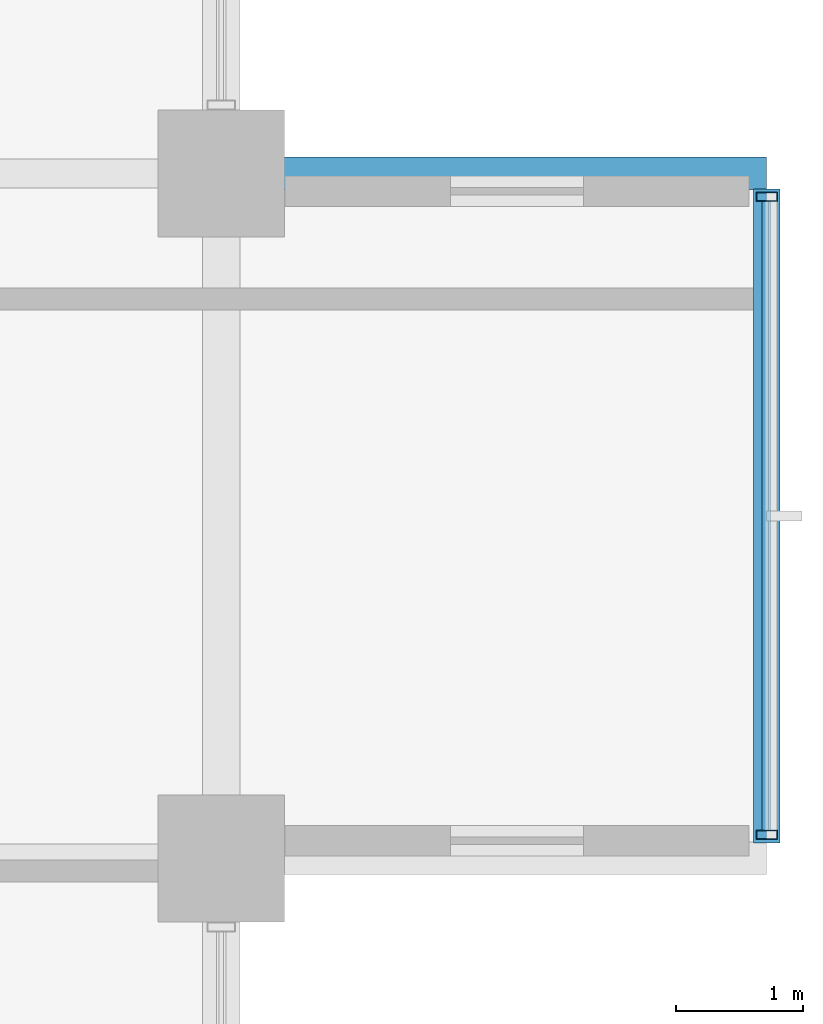
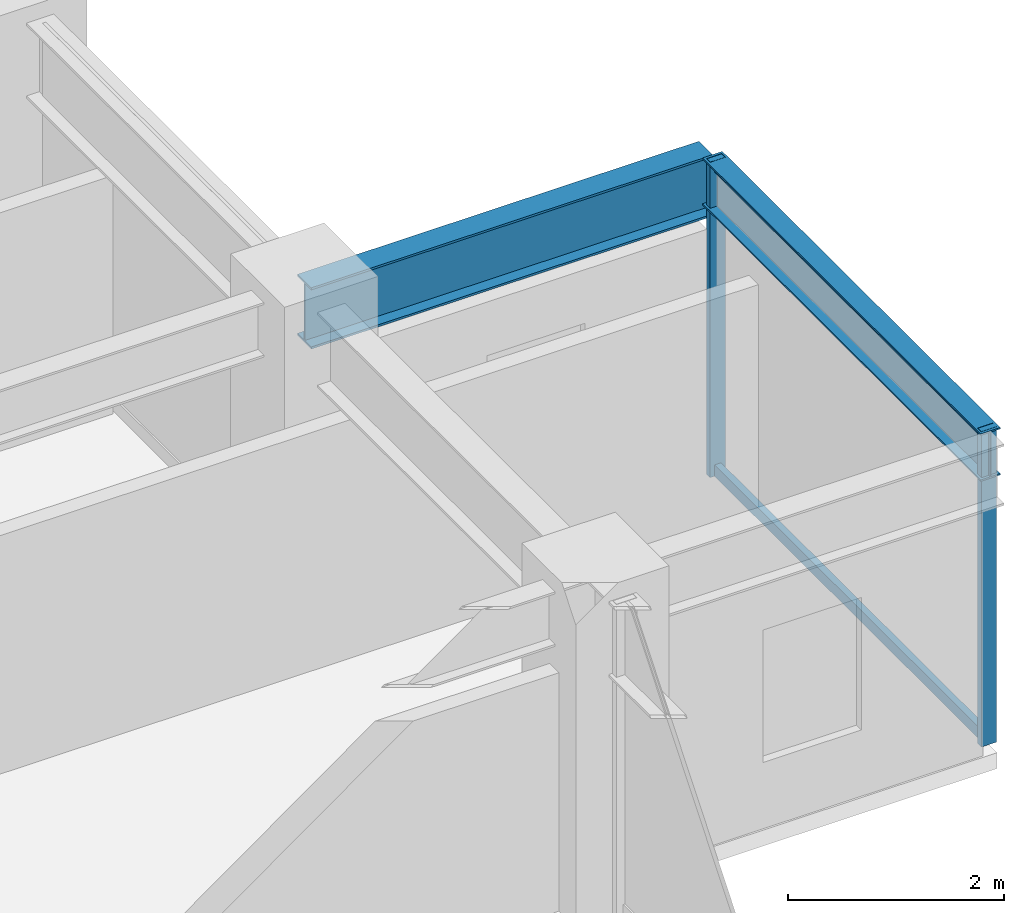
# One storey, part 10 of 26: 4 members, 2 beams, 1 element without a shape of its own.
"""IFC4 building model written with IfcOpenShell, lengths in metres."""

from ifc_helpers import new_model, si_unit, direction, frame, origin, origin_2d, place, context, subcontext, project, spatial, hollow_rectangle, i_section, extrude, material, layer, layer_set, material_profile, profile_set, type_object, element, aggregate, save


model = new_model("IFC4")

# Units and contexts
model_context = context("Model", 3, precision=1e-05, world=origin(), true_north=direction((0.0, 1.0)))
body_context = subcontext(model_context, "Body", "Model", "MODEL_VIEW")
ifc_project = project(units=[si_unit("LENGTHUNIT", "METRE"), si_unit("AREAUNIT", "SQUARE_METRE"), si_unit("VOLUMEUNIT", "CUBIC_METRE"), si_unit("PLANEANGLEUNIT", "RADIAN"), si_unit("MASSUNIT", "GRAM", prefix="KILO")], contexts=[model_context])

# Site, building, storey
site_placement = place(None, origin())
site = spatial("IfcSite", under=ifc_project, at=site_placement, CompositionType="ELEMENT")
building_placement = place(site_placement, origin())
building = spatial("IfcBuilding", under=site, at=building_placement, Name="Surkhivell Harbour Commons", CompositionType="ELEMENT")
storey_placement = place(building_placement, frame((0.0, 0.0, 147.0)))
storey = spatial("IfcBuildingStorey", under=building, at=storey_placement, Name="L38", CompositionType="ELEMENT", Elevation=147.0)

# Beams
ifc_material_1 = material(Name="Steel S460", Category="steel")
ifc_material_profile_1 = material_profile(ifc_material_1, i_section(OverallWidth=0.256103515625, OverallDepth=0.693115234375, WebThickness=0.014404296875, FlangeThickness=0.023681640625, at=origin_2d()), Name="UB686x254x170")
ifc_profile_set_1 = profile_set([ifc_material_profile_1], Name="Steel S460")
beam_type_1 = type_object("IfcBeamType", Name="BM-CNT-686", PredefinedType="BEAM", material=ifc_profile_set_1)
beam_1_placement = place(storey_placement, frame((21.60009765625, 5.39990234375, 3.223388671875), z_axis=(1.0, 0.0, 0.0), x_axis=(0.0, 1.0, 0.0)))
element("IfcBeam", 1, at=beam_1_placement, inside=storey, type_object=beam_type_1, Name="L38 Box Cantilever Outrigger (21.6,5.4)", PredefinedType="BEAM", context=body_context, shape_type="SweptSolid", body=[
    extrude(i_section(OverallWidth=0.256103515625, OverallDepth=0.693115234375, WebThickness=0.014404296875, FlangeThickness=0.023681640625, at=origin_2d()), origin(), (0.0, 0.0, 1.0), 4.2998046875),
])
ifc_material_2 = material(Name="Steel S355", Category="steel")
ifc_material_profile_2 = material_profile(ifc_material_2, i_section(OverallWidth=0.2099609375, OverallDepth=0.537109375, WebThickness=0.0107421875, FlangeThickness=0.017333984375, at=origin_2d()), Name="UB533x210x101")
ifc_profile_set_2 = profile_set([ifc_material_profile_2], Name="Steel S355")
beam_type_2 = type_object("IfcBeamType", Name="BM-GRD-533B", PredefinedType="BEAM", material=ifc_profile_set_2)
beam_2_placement = place(storey_placement, frame((25.89990234375, 0.1220703125, 3.301513671875), z_axis=(0.0, 1.0, 0.0), x_axis=(-1.0, 0.0, 0.0)))
element("IfcBeam", 2, at=beam_2_placement, inside=storey, type_object=beam_type_2, Name="L38 Box Rim Spandrel (25.9,0.0)", PredefinedType="BEAM", context=body_context, shape_type="SweptSolid", body=[
    extrude(i_section(OverallWidth=0.2099609375, OverallDepth=0.537109375, WebThickness=0.0107421875, FlangeThickness=0.017333984375, at=origin_2d()), origin(), (0.0, 0.0, 1.0), 5.156005859375),
])

# Curtain wall, members
ifc_material_3 = material(Name="Anodised pale-metal aluminium and insulated glazing", Category="aluminium")
ifc_layer = layer(ifc_material_3, 0.1650390625)
ifc_layer_set = layer_set([ifc_layer], Name="Anodised pale-metal aluminium and insulated glazing")
curtain_wall_type = type_object("IfcCurtainWallType", Name="CW-SYS-BOX", PredefinedType="NOTDEFINED", material=ifc_layer_set)
curtain_wall_placement = place(storey_placement, origin())
curtain_wall = element("IfcCurtainWall", 3, at=curtain_wall_placement, inside=storey, type_object=curtain_wall_type, Name="L38 Curtain Wall CW-L38-BOX01", PredefinedType="NOTDEFINED")
ifc_material_4 = material(Name="Champagne anodised aluminium alloy 6063-T6", Category="aluminium")
ifc_material_profile_3 = material_profile(ifc_material_4, hollow_rectangle(XDim=0.070068359375, YDim=0.1650390625, WallThickness=0.00341796875, at=origin_2d()), Name="ALU-MULL-70x165")
ifc_profile_set_3 = profile_set([ifc_material_profile_3], Name="Champagne anodised aluminium alloy 6063-T6")
member_type_1 = type_object("IfcMemberType", Name="CWM-165", PredefinedType="MULLION", material=ifc_profile_set_3)
member_1_placement = place(storey_placement, frame((25.89990234375, 0.18505859375, 0.0), z_axis=(0.0, 0.0, 1.0), x_axis=(0.0, 1.0, 0.0)))
member_1 = element("IfcMember", 4, at=member_1_placement, type_object=member_type_1, Name="CW-BOX mullion 1", PredefinedType="MULLION", context=body_context, shape_type="SweptSolid", body=[
    extrude(hollow_rectangle(XDim=0.070068359375, YDim=0.1650390625, WallThickness=0.00341796875, at=origin_2d()), origin(), (0.0, 0.0, 1.0), 3.570068359375),
])
member_2_placement = place(storey_placement, frame((25.89990234375, 5.215087890625, 0.0), z_axis=(0.0, 0.0, 1.0), x_axis=(0.0, 1.0, 0.0)))
member_2 = element("IfcMember", 5, at=member_2_placement, type_object=member_type_1, Name="CW-BOX mullion 2", PredefinedType="MULLION", context=body_context, shape_type="SweptSolid", body=[
    extrude(hollow_rectangle(XDim=0.070068359375, YDim=0.1650390625, WallThickness=0.00341796875, at=origin_2d()), origin(), (0.0, 0.0, 1.0), 3.570068359375),
])
ifc_material_profile_4 = material_profile(ifc_material_4, hollow_rectangle(XDim=0.070068359375, YDim=0.1298828125, WallThickness=0.00341796875, at=origin_2d()), Name="ALU-TRAN-70x130")
ifc_profile_set_4 = profile_set([ifc_material_profile_4], Name="Champagne anodised aluminium alloy 6063-T6")
member_type_2 = type_object("IfcMemberType", Name="CWT-130", PredefinedType="USERDEFINED", material=ifc_profile_set_4)
member_3_placement = place(storey_placement, frame((25.89990234375, 0.219970703125, 0.06494140625), z_axis=(0.0, 1.0, 0.0), x_axis=(-1.0, 0.0, 0.0)))
member_3 = element("IfcMember", 6, at=member_3_placement, type_object=member_type_2, Name="CW-BOX transom 1.1", ObjectType="TRANSOM", PredefinedType="USERDEFINED", context=body_context, shape_type="SweptSolid", body=[
    extrude(hollow_rectangle(XDim=0.070068359375, YDim=0.1298828125, WallThickness=0.00341796875, at=origin_2d()), origin(), (0.0, 0.0, 1.0), 4.9599609375),
])
member_4_placement = place(storey_placement, frame((25.89990234375, 0.219970703125, 3.5048828125), z_axis=(0.0, 1.0, 0.0), x_axis=(-1.0, 0.0, 0.0)))
member_4 = element("IfcMember", 7, at=member_4_placement, type_object=member_type_2, Name="CW-BOX transom 1.2", ObjectType="TRANSOM", PredefinedType="USERDEFINED", context=body_context, shape_type="SweptSolid", body=[
    extrude(hollow_rectangle(XDim=0.070068359375, YDim=0.1298828125, WallThickness=0.00341796875, at=origin_2d()), origin(), (0.0, 0.0, 1.0), 4.9599609375),
])
aggregate(curtain_wall, [member_1, member_2, member_3, member_4])

save(model, "model.ifc")
